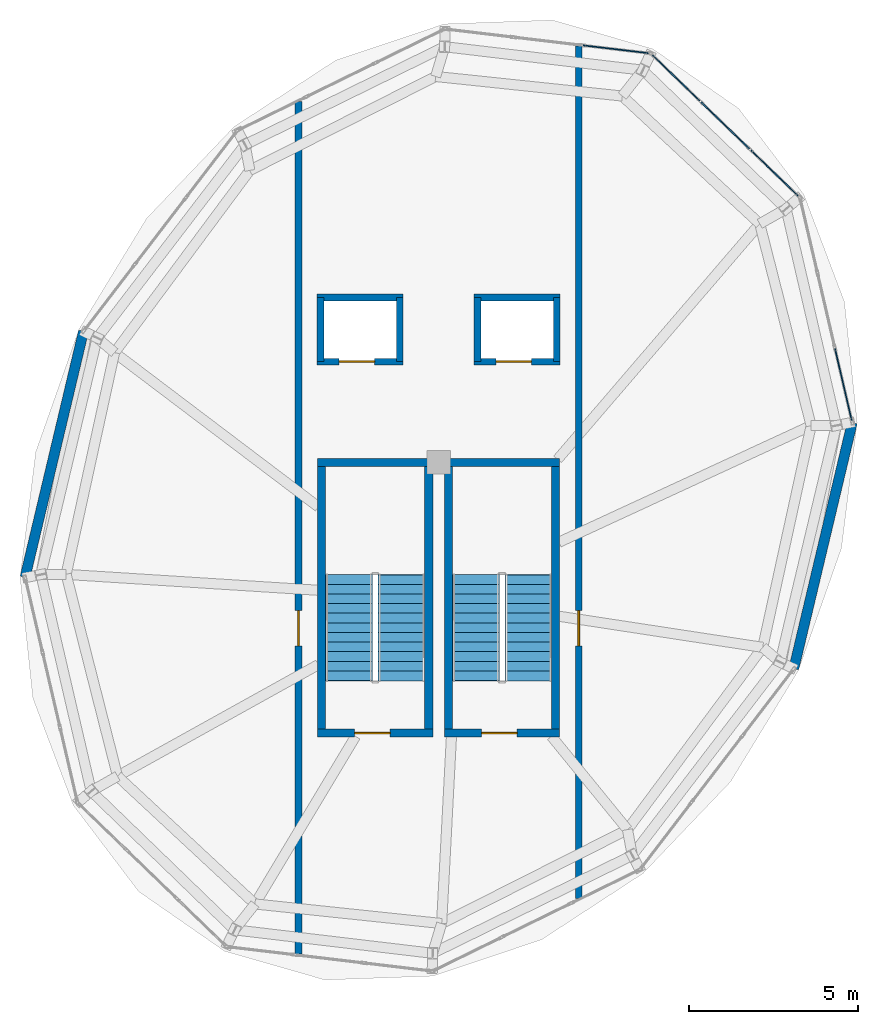
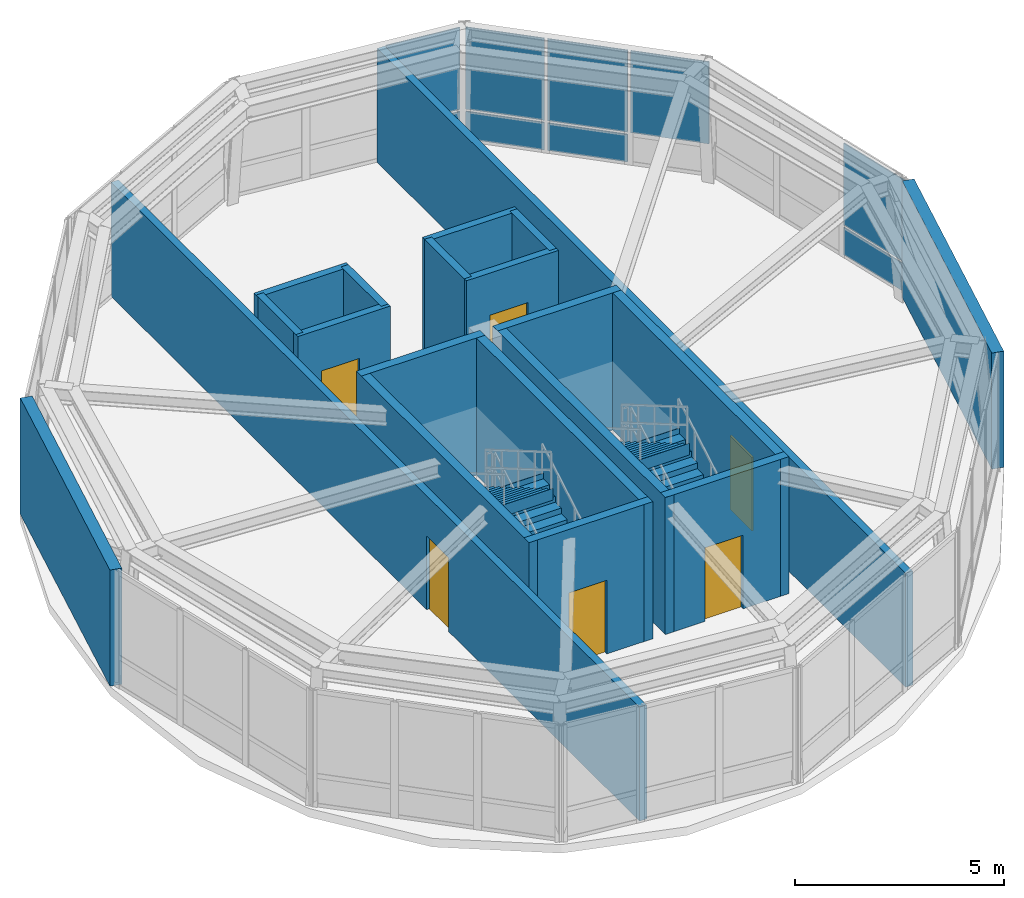
# One storey, part 8 of 9: 20 walls, 9 plates, 6 doors, 4 stair flights, 6 openings, 5 elements without a shape of their own.
"""IFC4 building model written with IfcOpenShell, lengths in metres."""

from ifc_helpers import new_model, si_unit, direction, frame, frame_2d, origin, origin_2d, place, context, subcontext, project, spatial, polyline, rectangle, outline, extrude, material, layer, layer_set, type_object, element, fill, aggregate, save


model = new_model("IFC4")

# Units and contexts
model_context = context("Model", 3, precision=1e-05, world=origin(), true_north=direction((0.0, 1.0)))
body_context = subcontext(model_context, "Body", "Model", "MODEL_VIEW")
ifc_project = project(units=[si_unit("LENGTHUNIT", "METRE"), si_unit("AREAUNIT", "SQUARE_METRE"), si_unit("VOLUMEUNIT", "CUBIC_METRE"), si_unit("PLANEANGLEUNIT", "RADIAN"), si_unit("MASSUNIT", "GRAM", prefix="KILO"), si_unit("THERMODYNAMICTEMPERATUREUNIT", "KELVIN"), si_unit("POWERUNIT", "WATT")], contexts=[model_context])

# Site, building, storey
site_placement = place(None, origin())
site = spatial("IfcSite", under=ifc_project, at=site_placement, CompositionType="ELEMENT")
building_placement = place(site_placement, origin())
building = spatial("IfcBuilding", under=site, at=building_placement, Name="Ocrelia Relay Tower", CompositionType="ELEMENT")
storey_placement = place(building_placement, frame((0.0, 0.0, 296.0)))
storey = spatial("IfcBuildingStorey", under=building, at=storey_placement, Name="L74", CompositionType="ELEMENT", Elevation=296.0)

# Curtain wall, plates
ifc_material_1 = material(Name="Aluminium and solar-control low-E glass", Category="aluminium")
ifc_layer_1 = layer(ifc_material_1, 0.179931640625, Name="Aluminium and solar-control low-E glass")
ifc_layer_set_1 = layer_set([ifc_layer_1], Name="Aluminium and solar-control low-E glass")
curtain_wall_type = type_object("IfcCurtainWallType", Name="CW-SYS-CROWN-PT", PredefinedType="NOTDEFINED", material=ifc_layer_set_1)
curtain_wall_1_placement = place(storey_placement, origin())
curtain_wall_1 = element("IfcCurtainWall", 1, at=curtain_wall_1_placement, inside=storey, type_object=curtain_wall_type, Name="L74 Faceted Glass-Point Crown Curtain Wall 01", PredefinedType="NOTDEFINED")
ifc_material_2 = material(Name="Clear double-glazed low-E glass", Category="glass")
ifc_layer_2 = layer(ifc_material_2, 0.031982421875, Name="Clear double-glazed low-E glass")
ifc_layer_set_2 = layer_set([ifc_layer_2], Name="Clear double-glazed low-E glass")
plate_type = type_object("IfcPlateType", Name="CW-SYS-CROWN-PT-PNL", PredefinedType="CURTAIN_PANEL", material=ifc_layer_set_2)
plate_1_placement = place(storey_placement, frame((39.248046875, 39.35693359375, 0.06494140625), z_axis=(0.0, 0.0, 1.0), x_axis=(-0.993010082273, 0.118029557759, 0.0)))
plate_1 = element("IfcPlate", 2, at=plate_1_placement, type_object=plate_type, Name="CW-CR panel 1.1", PredefinedType="CURTAIN_PANEL", context=body_context, shape_type="SweptSolid", body=[
    extrude(rectangle(XDim=1.9365234375, YDim=0.031982421875, at=origin_2d()), origin(), (0.0, 0.0, 1.0), 0.802490234375),
])
plate_2_placement = place(storey_placement, frame((39.248046875, 39.35693359375, 0.932373046875), z_axis=(0.0, 0.0, 1.0), x_axis=(-0.993010082273, 0.118029557759, 0.0)))
plate_2 = element("IfcPlate", 3, at=plate_2_placement, type_object=plate_type, Name="CW-CR panel 1.2", PredefinedType="CURTAIN_PANEL", context=body_context, shape_type="SweptSolid", body=[
    extrude(rectangle(XDim=1.9365234375, YDim=0.031982421875, at=origin_2d()), origin(), (0.0, 0.0, 1.0), 2.392578125),
])
aggregate(curtain_wall_1, [plate_1, plate_2])

curtain_wall_2_placement = place(storey_placement, origin())
curtain_wall_2 = element("IfcCurtainWall", 4, at=curtain_wall_2_placement, inside=storey, type_object=curtain_wall_type, Name="L74 Faceted Glass-Point Crown Curtain Wall 11", PredefinedType="NOTDEFINED")
plate_3_placement = place(storey_placement, frame((45.992919921875, 29.419677734375, 0.06494140625), z_axis=(0.0, 0.0, 1.0), x_axis=(-0.226532816409, 0.974003533407, 0.0)))
plate_3 = element("IfcPlate", 5, at=plate_3_placement, type_object=plate_type, Name="CW-CR panel 1.1", PredefinedType="CURTAIN_PANEL", context=body_context, shape_type="SweptSolid", body=[
    extrude(rectangle(XDim=2.171142578125, YDim=0.031982421875, at=origin_2d()), origin(), (0.0, 0.0, 1.0), 0.802490234375),
])
plate_4_placement = place(storey_placement, frame((45.992919921875, 29.419677734375, 0.932373046875), z_axis=(0.0, 0.0, 1.0), x_axis=(-0.226532816409, 0.974003533407, 0.0)))
plate_4 = element("IfcPlate", 6, at=plate_4_placement, type_object=plate_type, Name="CW-CR panel 1.2", PredefinedType="CURTAIN_PANEL", context=body_context, shape_type="SweptSolid", body=[
    extrude(rectangle(XDim=2.171142578125, YDim=0.031982421875, at=origin_2d()), origin(), (0.0, 0.0, 1.0), 2.392578125),
])
aggregate(curtain_wall_2, [plate_3, plate_4])

curtain_wall_3_placement = place(storey_placement, origin())
curtain_wall_3 = element("IfcCurtainWall", 7, at=curtain_wall_3_placement, inside=storey, type_object=curtain_wall_type, Name="L74 Faceted Glass-Point Crown Curtain Wall 12", PredefinedType="NOTDEFINED")
plate_5_placement = place(storey_placement, frame((43.953857421875, 35.687255859375, 0.932373046875), z_axis=(0.0, 0.0, 1.0), x_axis=(-0.719075086837, 0.694932384833, 0.0)))
plate_5 = element("IfcPlate", 8, at=plate_5_placement, type_object=plate_type, Name="CW-CR panel 1.2", PredefinedType="CURTAIN_PANEL", context=body_context, shape_type="SweptSolid", body=[
    extrude(rectangle(XDim=1.9365234375, YDim=0.031982421875, at=origin_2d()), origin(), (0.0, 0.0, 1.0), 2.392578125),
])
plate_6_placement = place(storey_placement, frame((42.493896484375, 37.09814453125, 0.06494140625), z_axis=(0.0, 0.0, 1.0), x_axis=(-0.719075086837, 0.694932384833, 0.0)))
plate_6 = element("IfcPlate", 9, at=plate_6_placement, type_object=plate_type, Name="CW-CR panel 2.1", PredefinedType="CURTAIN_PANEL", context=body_context, shape_type="SweptSolid", body=[
    extrude(rectangle(XDim=1.973876953125, YDim=0.031982421875, at=origin_2d()), origin(), (0.0, 0.0, 1.0), 0.802490234375),
])
plate_7_placement = place(storey_placement, frame((42.493896484375, 37.09814453125, 0.932373046875), z_axis=(0.0, 0.0, 1.0), x_axis=(-0.719075086837, 0.694932384833, 0.0)))
plate_7 = element("IfcPlate", 10, at=plate_7_placement, type_object=plate_type, Name="CW-CR panel 2.2", PredefinedType="CURTAIN_PANEL", context=body_context, shape_type="SweptSolid", body=[
    extrude(rectangle(XDim=1.973876953125, YDim=0.031982421875, at=origin_2d()), origin(), (0.0, 0.0, 1.0), 2.392578125),
])
plate_8_placement = place(storey_placement, frame((41.033935546875, 38.509033203125, 0.06494140625), z_axis=(0.0, 0.0, 1.0), x_axis=(-0.719075086837, 0.694932384833, 0.0)))
plate_8 = element("IfcPlate", 11, at=plate_8_placement, type_object=plate_type, Name="CW-CR panel 3.1", PredefinedType="CURTAIN_PANEL", context=body_context, shape_type="SweptSolid", body=[
    extrude(rectangle(XDim=1.9365234375, YDim=0.031982421875, at=origin_2d()), origin(), (0.0, 0.0, 1.0), 0.802490234375),
])
plate_9_placement = place(storey_placement, frame((41.033935546875, 38.509033203125, 0.932373046875), z_axis=(0.0, 0.0, 1.0), x_axis=(-0.719075086837, 0.694932384833, 0.0)))
plate_9 = element("IfcPlate", 12, at=plate_9_placement, type_object=plate_type, Name="CW-CR panel 3.2", PredefinedType="CURTAIN_PANEL", context=body_context, shape_type="SweptSolid", body=[
    extrude(rectangle(XDim=1.9365234375, YDim=0.031982421875, at=origin_2d()), origin(), (0.0, 0.0, 1.0), 2.392578125),
])
aggregate(curtain_wall_3, [plate_5, plate_6, plate_7, plate_8, plate_9])

# Wall, opening, door
ifc_material_3 = material(Name="Concrete C50/60", Category="concrete")
ifc_layer_3 = layer(ifc_material_3, 0.239990234375, Name="Concrete C50/60")
ifc_layer_set_3 = layer_set([ifc_layer_3], Name="Concrete C50/60")
wall_type_1 = type_object("IfcWallType", Name="CW-STAIR-240", PredefinedType="SHEAR", material=ifc_layer_set_3)
wall_1_placement = place(storey_placement, frame((30.412109375, 19.092041015625, 0.0), z_axis=(0.0, 0.0, 1.0), x_axis=(1.0, 0.0, 0.0)))
wall_1 = element("IfcWall", 13, at=wall_1_placement, inside=storey, type_object=wall_type_1, Name="L74 ST4 Structural Shaft S Wall", PredefinedType="SHEAR", context=body_context, shape_type="SweptSolid", body=[
    extrude(rectangle(XDim=3.415771484375, YDim=0.239990234375, at=frame_2d((1.7080078125, 0.0))), origin(), (0.0, 0.0, 1.0), 4.0),
])
opening_1_placement = place(wall_1_placement, frame((1.10009765625, 0.0, 0.0)))
opening_1 = element("IfcOpeningElement", 14, at=opening_1_placement, cuts=wall_1, Name="Opening D-FD90", PredefinedType="OPENING", context=body_context, shape_type="SweptSolid", body=[
    extrude(rectangle(XDim=1.050048828125, YDim=2.14990234375, at=frame_2d((0.52490234375, 1.074951171875))), frame((0.0, 0.1298828125, 0.0), z_axis=(0.0, -1.0, 0.0), x_axis=(1.0, 0.0, 0.0)), (0.0, 0.0, 1.0), 0.260009765625),
])
ifc_material_4 = material(Name="Steel S355 90-min fire door", Category="steel")
door_type_1 = type_object("IfcDoorType", Name="DR-STAIR-FD90-1050", OperationType="NOTDEFINED", PredefinedType="DOOR", material=ifc_material_4)
door_1_placement = place(opening_1_placement, origin())
door_1 = element("IfcDoor", 15, at=door_1_placement, inside=storey, type_object=door_type_1, Name="L74 Crown Stair ST4 Fire Door", OperationType="SINGLE_SWING_LEFT", OverallHeight=2.14990234375, OverallWidth=1.050048828125, PredefinedType="DOOR", context=body_context, shape_type="SweptSolid", body=[
    extrude(rectangle(XDim=1.050048828125, YDim=2.14990234375, at=frame_2d((0.52490234375, 1.074951171875))), frame((0.0, 0.02490234375, 0.0), z_axis=(0.0, -1.0, 0.0), x_axis=(1.0, 0.0, 0.0)), (0.0, 0.0, 1.0), 0.050048828125),
])
fill(opening_1, door_1)

# Walls
wall_2_placement = place(storey_placement, frame((30.412109375, 27.10791015625, 0.0), z_axis=(0.0, 0.0, 1.0), x_axis=(1.0, 0.0, 0.0)))
element("IfcWall", 16, at=wall_2_placement, inside=storey, type_object=wall_type_1, Name="L74 ST4 Structural Shaft N Wall", PredefinedType="SHEAR", context=body_context, shape_type="SweptSolid", body=[
    extrude(rectangle(XDim=3.415771484375, YDim=0.239990234375, at=frame_2d((1.7080078125, 0.0))), origin(), (0.0, 0.0, 1.0), 4.0),
])
for number, where, z_axis, x_axis, name in (
    (17, (30.531982421875, 18.971923828125, 0.0), (0.0, 0.0, 1.0), (0.0, 1.0, 0.0), "L74 ST4 Structural Shaft W Wall"),
    (18, (33.7080078125, 18.971923828125, 0.0), (0.0, 0.0, 1.0), (0.0, 1.0, 0.0), "L74 ST4 Structural Shaft E Wall"),
):
    element("IfcWall", number, at=place(storey_placement, frame(where, z_axis=z_axis, x_axis=x_axis)), inside=storey, type_object=wall_type_1, Name=name, PredefinedType="SHEAR", context=body_context, shape_type="SweptSolid", body=[
        extrude(rectangle(XDim=8.256103515625, YDim=0.239990234375, at=frame_2d((4.1279296875, 0.0))), origin(), (0.0, 0.0, 1.0), 4.0),
    ])

# Wall, opening, door
wall_3_placement = place(storey_placement, frame((34.172119140625, 19.092041015625, 0.0), z_axis=(0.0, 0.0, 1.0), x_axis=(1.0, 0.0, 0.0)))
wall_3 = element("IfcWall", 19, at=wall_3_placement, inside=storey, type_object=wall_type_1, Name="L74 ST5 Structural Shaft S Wall", PredefinedType="SHEAR", context=body_context, shape_type="SweptSolid", body=[
    extrude(rectangle(XDim=3.415771484375, YDim=0.239990234375, at=frame_2d((1.7080078125, 0.0))), origin(), (0.0, 0.0, 1.0), 4.0),
])
opening_2_placement = place(wall_3_placement, frame((1.10009765625, 0.0, 0.0)))
opening_2 = element("IfcOpeningElement", 20, at=opening_2_placement, cuts=wall_3, Name="Opening D-FD90", PredefinedType="OPENING", context=body_context, shape_type="SweptSolid", body=[
    extrude(rectangle(XDim=1.050048828125, YDim=2.14990234375, at=frame_2d((0.52490234375, 1.074951171875))), frame((0.0, 0.1298828125, 0.0), z_axis=(0.0, -1.0, 0.0), x_axis=(1.0, 0.0, 0.0)), (0.0, 0.0, 1.0), 0.260009765625),
])
door_2_placement = place(opening_2_placement, origin())
door_2 = element("IfcDoor", 21, at=door_2_placement, inside=storey, type_object=door_type_1, Name="L74 Crown Stair ST5 Fire Door", OperationType="SINGLE_SWING_RIGHT", OverallHeight=2.14990234375, OverallWidth=1.050048828125, PredefinedType="DOOR", context=body_context, shape_type="SweptSolid", body=[
    extrude(rectangle(XDim=1.050048828125, YDim=2.14990234375, at=frame_2d((0.52490234375, 1.074951171875))), frame((0.0, 0.02490234375, 0.0), z_axis=(0.0, -1.0, 0.0), x_axis=(1.0, 0.0, 0.0)), (0.0, 0.0, 1.0), 0.050048828125),
])
fill(opening_2, door_2)

# Walls
wall_4_placement = place(storey_placement, frame((34.172119140625, 27.10791015625, 0.0), z_axis=(0.0, 0.0, 1.0), x_axis=(1.0, 0.0, 0.0)))
element("IfcWall", 22, at=wall_4_placement, inside=storey, type_object=wall_type_1, Name="L74 ST5 Structural Shaft N Wall", PredefinedType="SHEAR", context=body_context, shape_type="SweptSolid", body=[
    extrude(rectangle(XDim=3.415771484375, YDim=0.239990234375, at=frame_2d((1.7080078125, 0.0))), origin(), (0.0, 0.0, 1.0), 4.0),
])
for number, where, z_axis, x_axis, name in (
    (23, (34.2919921875, 18.971923828125, 0.0), (0.0, 0.0, 1.0), (0.0, 1.0, 0.0), "L74 ST5 Structural Shaft W Wall"),
    (24, (37.468017578125, 18.971923828125, 0.0), (0.0, 0.0, 1.0), (0.0, 1.0, 0.0), "L74 ST5 Structural Shaft E Wall"),
):
    element("IfcWall", number, at=place(storey_placement, frame(where, z_axis=z_axis, x_axis=x_axis)), inside=storey, type_object=wall_type_1, Name=name, PredefinedType="SHEAR", context=body_context, shape_type="SweptSolid", body=[
        extrude(rectangle(XDim=8.256103515625, YDim=0.239990234375, at=frame_2d((4.1279296875, 0.0))), origin(), (0.0, 0.0, 1.0), 4.0),
    ])
ifc_material_5 = material(Name="Precast concrete C40/50 with oxide terracotta", Category="masonry")
ifc_layer_4 = layer(ifc_material_5, 0.300048828125, Name="Precast concrete C40/50 with oxide terracotta")
ifc_layer_set_4 = layer_set([ifc_layer_4], Name="Precast concrete C40/50 with oxide terracotta")
wall_type_2 = type_object("IfcWallType", Name="W-EXT-TERR-300", PredefinedType="SOLIDWALL", material=ifc_layer_set_4)
for number, where, z_axis, x_axis, name in (
    (25, (23.47607421875, 30.9970703125, 0.0), (0.0, 0.0, 1.0), (-0.231251787002, -0.972893936156, 0.0), "L74 Crown Braced Terracotta Spine Wall 04"),
    (26, (44.52392578125, 21.0029296875, 0.0), (0.0, 0.0, 1.0), (0.231251787002, 0.972893936156, 0.0), "L74 Crown Braced Terracotta Spine Wall 10"),
):
    element("IfcWall", number, at=place(storey_placement, frame(where, z_axis=z_axis, x_axis=x_axis)), inside=storey, type_object=wall_type_2, Name=name, PredefinedType="SOLIDWALL", context=body_context, shape_type="SweptSolid", body=[
        extrude(rectangle(XDim=7.489501953125, YDim=0.300048828125, at=frame_2d((3.74462890625, 0.0))), origin(), (0.0, 0.0, 1.0), 3.389892578125),
    ])

# Wall, opening, door
ifc_layer_5 = layer(ifc_material_3, 0.199951171875, Name="Concrete C50/60")
ifc_layer_set_5 = layer_set([ifc_layer_5], Name="Concrete C50/60")
wall_type_3 = type_object("IfcWallType", Name="W-SHAFT-EI120-200", PredefinedType="SOLIDWALL", material=ifc_layer_set_5)
wall_5_placement = place(storey_placement, frame((30.39990234375, 30.10009765625, 0.0), z_axis=(0.0, 0.0, 1.0), x_axis=(1.0, 0.0, 0.0)))
wall_5 = element("IfcWall", 27, at=wall_5_placement, inside=storey, type_object=wall_type_3, Name="L74 FFL1 South Wall", PredefinedType="SOLIDWALL", context=body_context, shape_type="SweptSolid", body=[
    extrude(rectangle(XDim=2.550048828125, YDim=0.199951171875, at=frame_2d((1.27490234375, 0.0))), origin(), (0.0, 0.0, 1.0), 3.330078125),
])
opening_3_placement = place(wall_5_placement, frame((0.64990234375, 0.0, 0.0)))
opening_3 = element("IfcOpeningElement", 28, at=opening_3_placement, cuts=wall_5, Name="Opening LD-FFL1", PredefinedType="OPENING", context=body_context, shape_type="SweptSolid", body=[
    extrude(rectangle(XDim=1.050048828125, YDim=2.10009765625, at=frame_2d((0.52490234375, 1.050048828125))), frame((0.0, 0.10986328125, 0.0), z_axis=(0.0, -1.0, 0.0), x_axis=(1.0, 0.0, 0.0)), (0.0, 0.0, 1.0), 0.219970703125),
])
ifc_material_6 = material(Name="Brushed stainless steel S355 lift landing door", Category="steel")
door_type_2 = type_object("IfcDoorType", Name="DR-LIFT-LAND-1050", OperationType="DOUBLE_DOOR_SLIDING", PredefinedType="USERDEFINED", material=ifc_material_6)
door_3_placement = place(opening_3_placement, origin())
door_3 = element("IfcDoor", 29, at=door_3_placement, inside=storey, type_object=door_type_2, Name="L74 FFL1 Sliding Landing Door", ObjectType="LANDING DOOR", OperationType="DOUBLE_DOOR_SLIDING", OverallHeight=2.10009765625, OverallWidth=1.050048828125, PredefinedType="USERDEFINED", context=body_context, shape_type="SweptSolid", body=[
    extrude(rectangle(XDim=1.050048828125, YDim=2.10009765625, at=frame_2d((0.52490234375, 1.050048828125))), frame((0.0, 0.02490234375, 0.0), z_axis=(0.0, -1.0, 0.0), x_axis=(1.0, 0.0, 0.0)), (0.0, 0.0, 1.0), 0.050048828125),
])
fill(opening_3, door_3)

# Walls
wall_6_placement = place(storey_placement, frame((30.39990234375, 32.0, 0.0), z_axis=(0.0, 0.0, 1.0), x_axis=(1.0, 0.0, 0.0)))
element("IfcWall", 30, at=wall_6_placement, inside=storey, type_object=wall_type_3, Name="L74 FFL1 N Wall", PredefinedType="SOLIDWALL", context=body_context, shape_type="SweptSolid", body=[
    extrude(rectangle(XDim=2.550048828125, YDim=0.199951171875, at=frame_2d((1.27490234375, 0.0))), origin(), (0.0, 0.0, 1.0), 3.330078125),
])
for number, where, z_axis, x_axis, name in (
    (31, (30.5, 30.10009765625, 0.0), (0.0, 0.0, 1.0), (0.0, 1.0, 0.0), "L74 FFL1 W Wall"),
    (32, (32.85009765625, 30.10009765625, 0.0), (0.0, 0.0, 1.0), (0.0, 1.0, 0.0), "L74 FFL1 E Wall"),
):
    element("IfcWall", number, at=place(storey_placement, frame(where, z_axis=z_axis, x_axis=x_axis)), inside=storey, type_object=wall_type_3, Name=name, PredefinedType="SOLIDWALL", context=body_context, shape_type="SweptSolid", body=[
        extrude(rectangle(XDim=1.89990234375, YDim=0.199951171875, at=frame_2d((0.949951171875, 0.0))), origin(), (0.0, 0.0, 1.0), 3.330078125),
    ])

# Wall, opening, door
wall_7_placement = place(storey_placement, frame((35.050048828125, 30.10009765625, 0.0), z_axis=(0.0, 0.0, 1.0), x_axis=(1.0, 0.0, 0.0)))
wall_7 = element("IfcWall", 33, at=wall_7_placement, inside=storey, type_object=wall_type_3, Name="L74 FFL2 South Wall", PredefinedType="SOLIDWALL", context=body_context, shape_type="SweptSolid", body=[
    extrude(rectangle(XDim=2.550048828125, YDim=0.199951171875, at=frame_2d((1.27490234375, 0.0))), origin(), (0.0, 0.0, 1.0), 3.330078125),
])
opening_4_placement = place(wall_7_placement, frame((0.64990234375, 0.0, 0.0)))
opening_4 = element("IfcOpeningElement", 34, at=opening_4_placement, cuts=wall_7, Name="Opening LD-FFL2", PredefinedType="OPENING", context=body_context, shape_type="SweptSolid", body=[
    extrude(rectangle(XDim=1.050048828125, YDim=2.10009765625, at=frame_2d((0.52490234375, 1.050048828125))), frame((0.0, 0.10986328125, 0.0), z_axis=(0.0, -1.0, 0.0), x_axis=(1.0, 0.0, 0.0)), (0.0, 0.0, 1.0), 0.219970703125),
])
door_4_placement = place(opening_4_placement, origin())
door_4 = element("IfcDoor", 35, at=door_4_placement, inside=storey, type_object=door_type_2, Name="L74 FFL2 Sliding Landing Door", ObjectType="LANDING DOOR", OperationType="DOUBLE_DOOR_SLIDING", OverallHeight=2.10009765625, OverallWidth=1.050048828125, PredefinedType="USERDEFINED", context=body_context, shape_type="SweptSolid", body=[
    extrude(rectangle(XDim=1.050048828125, YDim=2.10009765625, at=frame_2d((0.52490234375, 1.050048828125))), frame((0.0, 0.02490234375, 0.0), z_axis=(0.0, -1.0, 0.0), x_axis=(1.0, 0.0, 0.0)), (0.0, 0.0, 1.0), 0.050048828125),
])
fill(opening_4, door_4)

# Walls
wall_8_placement = place(storey_placement, frame((35.050048828125, 32.0, 0.0), z_axis=(0.0, 0.0, 1.0), x_axis=(1.0, 0.0, 0.0)))
element("IfcWall", 36, at=wall_8_placement, inside=storey, type_object=wall_type_3, Name="L74 FFL2 N Wall", PredefinedType="SOLIDWALL", context=body_context, shape_type="SweptSolid", body=[
    extrude(rectangle(XDim=2.550048828125, YDim=0.199951171875, at=frame_2d((1.27490234375, 0.0))), origin(), (0.0, 0.0, 1.0), 3.330078125),
])
for number, where, z_axis, x_axis, name in (
    (37, (35.14990234375, 30.10009765625, 0.0), (0.0, 0.0, 1.0), (0.0, 1.0, 0.0), "L74 FFL2 W Wall"),
    (38, (37.5, 30.10009765625, 0.0), (0.0, 0.0, 1.0), (0.0, 1.0, 0.0), "L74 FFL2 E Wall"),
):
    element("IfcWall", number, at=place(storey_placement, frame(where, z_axis=z_axis, x_axis=x_axis)), inside=storey, type_object=wall_type_3, Name=name, PredefinedType="SOLIDWALL", context=body_context, shape_type="SweptSolid", body=[
        extrude(rectangle(XDim=1.89990234375, YDim=0.199951171875, at=frame_2d((0.949951171875, 0.0))), origin(), (0.0, 0.0, 1.0), 3.330078125),
    ])

# Wall, opening, door
wall_9_placement = place(storey_placement, frame((29.85009765625, 12.54150390625, 0.0), z_axis=(0.0, 0.0, 1.0), x_axis=(0.0, 1.0, 0.0)))
wall_9 = element("IfcWall", 39, at=wall_9_placement, inside=storey, type_object=wall_type_3, Name="L74 Crown Lobby West Wall", PredefinedType="SOLIDWALL", context=body_context, shape_type="SweptSolid", body=[
    extrude(rectangle(XDim=25.263427734375, YDim=0.199951171875, at=frame_2d((12.6318359375, 0.0))), origin(), (0.0, 0.0, 1.0), 3.330078125),
])
opening_5_placement = place(wall_9_placement, frame((9.133544921875, 0.0, 0.0)))
opening_5 = element("IfcOpeningElement", 40, at=opening_5_placement, cuts=wall_9, Name="Opening D-FD90", PredefinedType="OPENING", context=body_context, shape_type="SweptSolid", body=[
    extrude(rectangle(XDim=1.050048828125, YDim=2.14990234375, at=frame_2d((0.52490234375, 1.074951171875))), frame((0.0, 0.10986328125, 0.0), z_axis=(0.0, -1.0, 0.0), x_axis=(1.0, 0.0, 0.0)), (0.0, 0.0, 1.0), 0.219970703125),
])
door_5_placement = place(opening_5_placement, origin())
door_5 = element("IfcDoor", 41, at=door_5_placement, inside=storey, type_object=door_type_1, Name="L74 West Chiller Plant Door", OperationType="SINGLE_SWING_LEFT", OverallHeight=2.14990234375, OverallWidth=1.050048828125, PredefinedType="DOOR", context=body_context, shape_type="SweptSolid", body=[
    extrude(rectangle(XDim=1.050048828125, YDim=2.14990234375, at=frame_2d((0.52490234375, 1.074951171875))), frame((0.0, 0.02490234375, 0.0), z_axis=(0.0, -1.0, 0.0), x_axis=(1.0, 0.0, 0.0)), (0.0, 0.0, 1.0), 0.050048828125),
])
fill(opening_5, door_5)

wall_10_placement = place(storey_placement, frame((38.14990234375, 14.195068359375, 0.0), z_axis=(0.0, 0.0, 1.0), x_axis=(0.0, 1.0, 0.0)))
wall_10 = element("IfcWall", 42, at=wall_10_placement, inside=storey, type_object=wall_type_3, Name="L74 Crown Lobby East Wall", PredefinedType="SOLIDWALL", context=body_context, shape_type="SweptSolid", body=[
    extrude(rectangle(XDim=25.263427734375, YDim=0.199951171875, at=frame_2d((12.6318359375, 0.0))), origin(), (0.0, 0.0, 1.0), 3.330078125),
])
opening_6_placement = place(wall_10_placement, frame((7.47998046875, 0.0, 0.0)))
opening_6 = element("IfcOpeningElement", 43, at=opening_6_placement, cuts=wall_10, Name="Opening D-FD90", PredefinedType="OPENING", context=body_context, shape_type="SweptSolid", body=[
    extrude(rectangle(XDim=1.050048828125, YDim=2.14990234375, at=frame_2d((0.52490234375, 1.074951171875))), frame((0.0, 0.10986328125, 0.0), z_axis=(0.0, -1.0, 0.0), x_axis=(1.0, 0.0, 0.0)), (0.0, 0.0, 1.0), 0.219970703125),
])
door_6_placement = place(opening_6_placement, origin())
door_6 = element("IfcDoor", 44, at=door_6_placement, inside=storey, type_object=door_type_1, Name="L74 East Switchgear Plant Door", OperationType="SINGLE_SWING_RIGHT", OverallHeight=2.14990234375, OverallWidth=1.050048828125, PredefinedType="DOOR", context=body_context, shape_type="SweptSolid", body=[
    extrude(rectangle(XDim=1.050048828125, YDim=2.14990234375, at=frame_2d((0.52490234375, 1.074951171875))), frame((0.0, 0.02490234375, 0.0), z_axis=(0.0, -1.0, 0.0), x_axis=(1.0, 0.0, 0.0)), (0.0, 0.0, 1.0), 0.050048828125),
])
fill(opening_6, door_6)

# Stair, stair flights
stair_type = type_object("IfcStairType", Name="ST-DL-1400-R167", PredefinedType="HALF_TURN_STAIR", material=ifc_material_3)
stair_1_placement = place(storey_placement, origin())
stair_1 = element("IfcStair", 45, at=stair_1_placement, inside=storey, type_object=stair_type, Name="L74 Crown North-West Stair ST4", PredefinedType="HALF_TURN_STAIR")
stair_flight_type = type_object("IfcStairFlightType", Name="STF-DL-1400-R167", PredefinedType="STRAIGHT", material=ifc_material_3)
stair_flight_1_placement = place(storey_placement, frame((32.89990234375, 20.64990234375, 0.0), z_axis=(0.0, 0.0, 1.0), x_axis=(0.0, 1.0, 0.0)))
stair_flight_1 = element("IfcStairFlight", 46, at=stair_flight_1_placement, type_object=stair_flight_type, Name="ST4 flight 1", NumberOfRisers=12, NumberOfTreads=11, PredefinedType="STRAIGHT", RiserHeight=0.166666667, TreadLength=0.285, context=body_context, shape_type="SweptSolid", body=[
    extrude(outline(polyline([(-0.008056640625, 0.0), (-0.008056640625, 0.166748046875), (0.0, 0.166748046875), (0.284912109375, 0.166748046875), (0.284912109375, 0.333251953125), (0.570068359375, 0.333251953125), (0.570068359375, 0.5), (0.85498046875, 0.5), (0.85498046875, 0.666748046875), (1.139892578125, 0.666748046875), (1.139892578125, 0.833251953125), (1.425048828125, 0.833251953125), (1.425048828125, 1.0), (1.7099609375, 1.0), (1.7099609375, 1.166748046875), (1.9951171875, 1.166748046875), (1.9951171875, 1.333251953125), (2.280029296875, 1.333251953125), (2.280029296875, 1.5), (2.56494140625, 1.5), (2.56494140625, 1.666748046875), (2.85009765625, 1.666748046875), (2.85009765625, 1.833251953125), (3.135009765625, 1.833251953125), (3.135009765625, 2.0), (3.14306640625, 2.0), (3.14306640625, 1.65966796875), (0.296875, 0.0), (-0.008056640625, 0.0)])), frame((0.0, 0.699951171875, 0.0), z_axis=(0.0, -1.0, 0.0), x_axis=(1.0, 0.0, 0.0)), (0.0, 0.0, 1.0), 1.39990234375),
])
stair_flight_2_placement = place(storey_placement, frame((31.340087890625, 23.784912109375, 2.0), z_axis=(0.0, 0.0, 1.0), x_axis=(0.0, -1.0, 0.0)))
stair_flight_2 = element("IfcStairFlight", 47, at=stair_flight_2_placement, type_object=stair_flight_type, Name="ST4 flight 2", NumberOfRisers=12, NumberOfTreads=11, PredefinedType="STRAIGHT", RiserHeight=0.166666667, TreadLength=0.285, context=body_context, shape_type="SweptSolid", body=[
    extrude(outline(polyline([(-0.008056640625, 0.0), (-0.008056640625, 0.166748046875), (0.0, 0.166748046875), (0.284912109375, 0.166748046875), (0.284912109375, 0.333251953125), (0.570068359375, 0.333251953125), (0.570068359375, 0.5), (0.85498046875, 0.5), (0.85498046875, 0.666748046875), (1.139892578125, 0.666748046875), (1.139892578125, 0.833251953125), (1.425048828125, 0.833251953125), (1.425048828125, 1.0), (1.7099609375, 1.0), (1.7099609375, 1.166748046875), (1.9951171875, 1.166748046875), (1.9951171875, 1.333251953125), (2.280029296875, 1.333251953125), (2.280029296875, 1.5), (2.56494140625, 1.5), (2.56494140625, 1.666748046875), (2.85009765625, 1.666748046875), (2.85009765625, 1.833251953125), (3.135009765625, 1.833251953125), (3.135009765625, 2.0), (3.14306640625, 2.0), (3.14306640625, 1.65966796875), (0.296875, 0.0), (-0.008056640625, 0.0)])), frame((0.0, 0.699951171875, 0.0), z_axis=(0.0, -1.0, 0.0), x_axis=(1.0, 0.0, 0.0)), (0.0, 0.0, 1.0), 1.39990234375),
])
aggregate(stair_1, [stair_flight_1, stair_flight_2])

stair_2_placement = place(storey_placement, origin())
stair_2 = element("IfcStair", 48, at=stair_2_placement, inside=storey, type_object=stair_type, Name="L74 Crown North-East Stair ST5", PredefinedType="HALF_TURN_STAIR")
stair_flight_3_placement = place(storey_placement, frame((36.659912109375, 20.64990234375, 0.0), z_axis=(0.0, 0.0, 1.0), x_axis=(0.0, 1.0, 0.0)))
stair_flight_3 = element("IfcStairFlight", 49, at=stair_flight_3_placement, type_object=stair_flight_type, Name="ST5 flight 1", NumberOfRisers=12, NumberOfTreads=11, PredefinedType="STRAIGHT", RiserHeight=0.166666667, TreadLength=0.285, context=body_context, shape_type="SweptSolid", body=[
    extrude(outline(polyline([(-0.008056640625, 0.0), (-0.008056640625, 0.166748046875), (0.0, 0.166748046875), (0.284912109375, 0.166748046875), (0.284912109375, 0.333251953125), (0.570068359375, 0.333251953125), (0.570068359375, 0.5), (0.85498046875, 0.5), (0.85498046875, 0.666748046875), (1.139892578125, 0.666748046875), (1.139892578125, 0.833251953125), (1.425048828125, 0.833251953125), (1.425048828125, 1.0), (1.7099609375, 1.0), (1.7099609375, 1.166748046875), (1.9951171875, 1.166748046875), (1.9951171875, 1.333251953125), (2.280029296875, 1.333251953125), (2.280029296875, 1.5), (2.56494140625, 1.5), (2.56494140625, 1.666748046875), (2.85009765625, 1.666748046875), (2.85009765625, 1.833251953125), (3.135009765625, 1.833251953125), (3.135009765625, 2.0), (3.14306640625, 2.0), (3.14306640625, 1.65966796875), (0.296875, 0.0), (-0.008056640625, 0.0)])), frame((0.0, 0.699951171875, 0.0), z_axis=(0.0, -1.0, 0.0), x_axis=(1.0, 0.0, 0.0)), (0.0, 0.0, 1.0), 1.39990234375),
])
stair_flight_4_placement = place(storey_placement, frame((35.10009765625, 23.784912109375, 2.0), z_axis=(0.0, 0.0, 1.0), x_axis=(0.0, -1.0, 0.0)))
stair_flight_4 = element("IfcStairFlight", 50, at=stair_flight_4_placement, type_object=stair_flight_type, Name="ST5 flight 2", NumberOfRisers=12, NumberOfTreads=11, PredefinedType="STRAIGHT", RiserHeight=0.166666667, TreadLength=0.285, context=body_context, shape_type="SweptSolid", body=[
    extrude(outline(polyline([(-0.008056640625, 0.0), (-0.008056640625, 0.166748046875), (0.0, 0.166748046875), (0.284912109375, 0.166748046875), (0.284912109375, 0.333251953125), (0.570068359375, 0.333251953125), (0.570068359375, 0.5), (0.85498046875, 0.5), (0.85498046875, 0.666748046875), (1.139892578125, 0.666748046875), (1.139892578125, 0.833251953125), (1.425048828125, 0.833251953125), (1.425048828125, 1.0), (1.7099609375, 1.0), (1.7099609375, 1.166748046875), (1.9951171875, 1.166748046875), (1.9951171875, 1.333251953125), (2.280029296875, 1.333251953125), (2.280029296875, 1.5), (2.56494140625, 1.5), (2.56494140625, 1.666748046875), (2.85009765625, 1.666748046875), (2.85009765625, 1.833251953125), (3.135009765625, 1.833251953125), (3.135009765625, 2.0), (3.14306640625, 2.0), (3.14306640625, 1.65966796875), (0.296875, 0.0), (-0.008056640625, 0.0)])), frame((0.0, 0.699951171875, 0.0), z_axis=(0.0, -1.0, 0.0), x_axis=(1.0, 0.0, 0.0)), (0.0, 0.0, 1.0), 1.39990234375),
])
aggregate(stair_2, [stair_flight_3, stair_flight_4])

save(model, "model.ifc")
